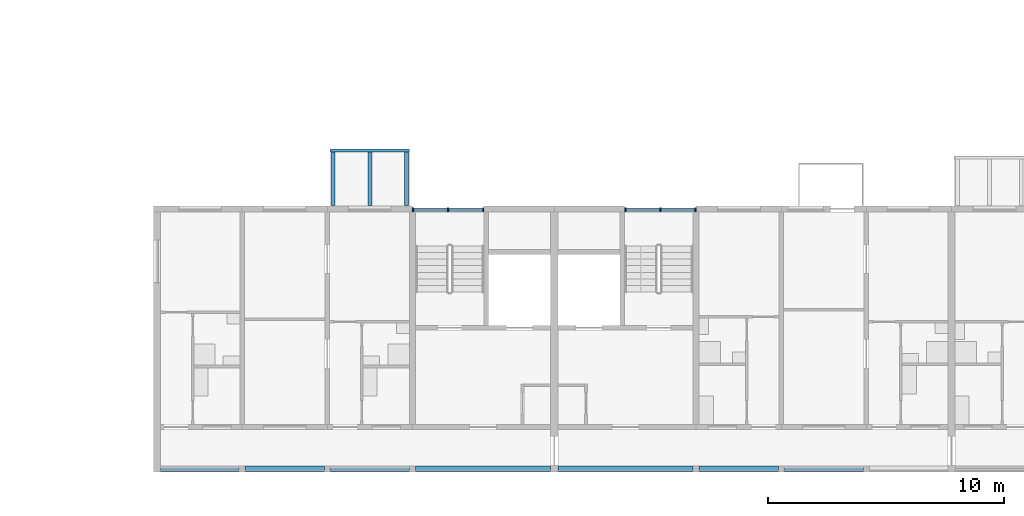
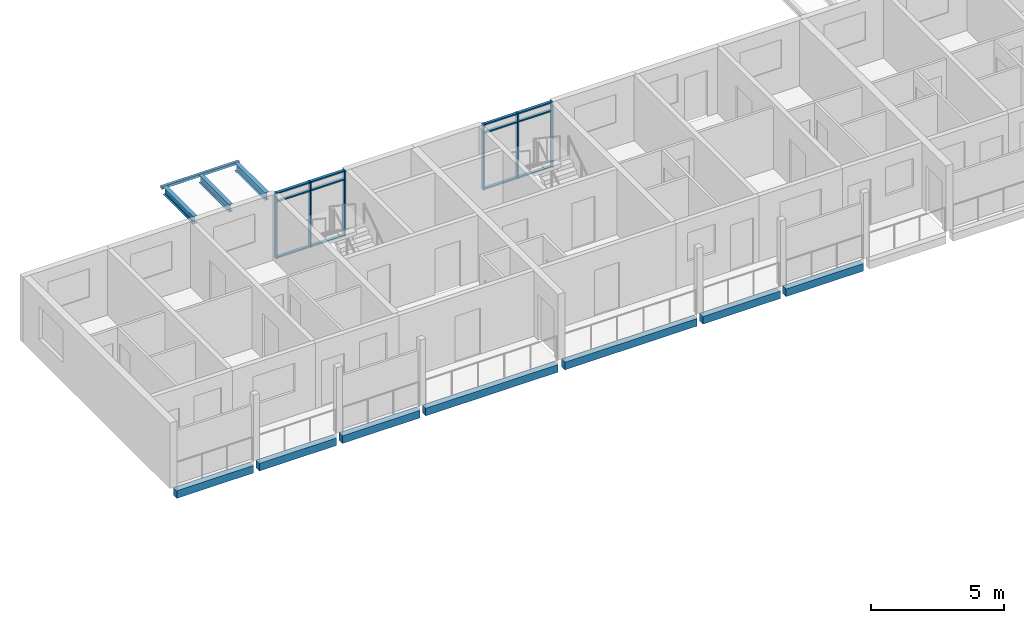
# One storey, part 16 of 94: 18 members, 11 beams, 2 elements without a shape of their own.
"""IFC4 building model written with IfcOpenShell, lengths in metres."""

from ifc_helpers import new_model, si_unit, direction, frame, origin, origin_2d, place, context, subcontext, project, spatial, rectangle, hollow_rectangle, i_section, extrude, material, material_profile, profile_set, type_object, element, aggregate, save


model = new_model("IFC4")

# Units and contexts
model_context = context("Model", 3, precision=1e-05, world=origin(), true_north=direction((0.0, 1.0)))
body_context = subcontext(model_context, "Body", "Model", "MODEL_VIEW")
ifc_project = project(units=[si_unit("LENGTHUNIT", "METRE"), si_unit("AREAUNIT", "SQUARE_METRE"), si_unit("VOLUMEUNIT", "CUBIC_METRE"), si_unit("PLANEANGLEUNIT", "RADIAN"), si_unit("MASSUNIT", "GRAM", prefix="KILO")], contexts=[model_context])

# Site, building, storey
site_placement = place(None, origin())
site = spatial("IfcSite", under=ifc_project, at=site_placement, CompositionType="ELEMENT")
building_placement = place(site_placement, origin())
building = spatial("IfcBuilding", under=site, at=building_placement, Name="Ridgestep Commons", CompositionType="ELEMENT")
storey_placement = place(building_placement, frame((0.0, 0.0, 24.0)))
storey = spatial("IfcBuildingStorey", under=building, at=storey_placement, Name="L08", CompositionType="ELEMENT", Elevation=24.0)

# Beams
ifc_material_1 = material(Name="Precast concrete C40/50", Category="concrete")
ifc_material_profile_1 = material_profile(ifc_material_1, rectangle(XDim=0.25, YDim=0.35009765625, at=origin_2d()), Name="PC 250x350")
ifc_profile_set_1 = profile_set([ifc_material_profile_1], Name="Precast concrete C40/50")
beam_type_1 = type_object("IfcBeamType", Name="Loggia edge beam 250 x 350", PredefinedType="SPANDREL", material=ifc_profile_set_1)
beam_1_placement = place(storey_placement, frame((146.949951171875, 11.875, -0.375), z_axis=(1.0, 0.0, 0.0), x_axis=(0.0, 1.0, 0.0)))
element("IfcBeam", 1, at=beam_1_placement, inside=storey, type_object=beam_type_1, Name="Loggia edge beam D1T1 L08", PredefinedType="SPANDREL", context=body_context, shape_type="SweptSolid", body=[
    extrude(rectangle(XDim=0.25, YDim=0.35009765625, at=origin_2d()), origin(), (0.0, 0.0, 1.0), 3.324951171875),
])
for number, where, z_axis, x_axis, name in (
    (2, (150.52490234375, 11.875, -0.375), (1.0, 0.0, 0.0), (0.0, 1.0, 0.0), "Loggia edge beam D1T2 L08"),
    (3, (154.125, 11.875, -0.375), (1.0, 0.0, 0.0), (0.0, 1.0, 0.0), "Loggia edge beam D1T3 L08"),
):
    element("IfcBeam", number, at=place(storey_placement, frame(where, z_axis=z_axis, x_axis=x_axis)), inside=storey, type_object=beam_type_1, Name=name, PredefinedType="SPANDREL", context=body_context, shape_type="SweptSolid", body=[
        extrude(rectangle(XDim=0.25, YDim=0.35009765625, at=origin_2d()), origin(), (0.0, 0.0, 1.0), 3.35009765625),
    ])
beam_2_placement = place(storey_placement, frame((157.72509765625, 11.875, -0.375), z_axis=(1.0, 0.0, 0.0), x_axis=(0.0, 1.0, 0.0)))
element("IfcBeam", 4, at=beam_2_placement, inside=storey, type_object=beam_type_1, Name="Loggia edge beam D1C L08", PredefinedType="SPANDREL", context=body_context, shape_type="SweptSolid", body=[
    extrude(rectangle(XDim=0.25, YDim=0.35009765625, at=origin_2d()), origin(), (0.0, 0.0, 1.0), 5.724853515625),
])
beam_3_placement = place(storey_placement, frame((163.75, 11.875, -0.375), z_axis=(1.0, 0.0, 0.0), x_axis=(0.0, 1.0, 0.0)))
element("IfcBeam", 5, at=beam_3_placement, inside=storey, type_object=beam_type_1, Name="Loggia edge beam D2C L08", PredefinedType="SPANDREL", context=body_context, shape_type="SweptSolid", body=[
    extrude(rectangle(XDim=0.25, YDim=0.35009765625, at=origin_2d()), origin(), (0.0, 0.0, 1.0), 5.72509765625),
])
beam_4_placement = place(storey_placement, frame((169.72509765625, 11.875, -0.375), z_axis=(1.0, 0.0, 0.0), x_axis=(0.0, 1.0, 0.0)))
element("IfcBeam", 6, at=beam_4_placement, inside=storey, type_object=beam_type_1, Name="Loggia edge beam D2T3 L08", PredefinedType="SPANDREL", context=body_context, shape_type="SweptSolid", body=[
    extrude(rectangle(XDim=0.25, YDim=0.35009765625, at=origin_2d()), origin(), (0.0, 0.0, 1.0), 3.349853515625),
])
beam_5_placement = place(storey_placement, frame((173.324951171875, 11.875, -0.375), z_axis=(1.0, 0.0, 0.0), x_axis=(0.0, 1.0, 0.0)))
element("IfcBeam", 7, at=beam_5_placement, inside=storey, type_object=beam_type_1, Name="Loggia edge beam D2T2 L08", PredefinedType="SPANDREL", context=body_context, shape_type="SweptSolid", body=[
    extrude(rectangle(XDim=0.25, YDim=0.35009765625, at=origin_2d()), origin(), (0.0, 0.0, 1.0), 3.35009765625),
])

# Curtain wall, members
ifc_material_2 = material(Name="Aluminium 6063-T6 and glass", Category="aluminium")
curtain_wall_type = type_object("IfcCurtainWallType", Name="Curtain wall stair strip", PredefinedType="NOTDEFINED", material=ifc_material_2)
curtain_wall_1_placement = place(storey_placement, origin())
curtain_wall_1 = element("IfcCurtainWall", 8, at=curtain_wall_1_placement, inside=storey, type_object=curtain_wall_type, Name="Curtain wall D1C level 08", PredefinedType="NOTDEFINED")
ifc_material_3 = material(Name="Aluminium 6063-T6", Category="aluminium")
ifc_material_profile_2 = material_profile(ifc_material_3, rectangle(XDim=0.159912109375, YDim=0.06005859375, at=origin_2d()), Name="Mullion 60 x 160")
ifc_profile_set_2 = profile_set([ifc_material_profile_2], Name="Aluminium 6063-T6")
member_type_1 = type_object("IfcMemberType", Name="Mullion 60 x 160", PredefinedType="MULLION", material=ifc_profile_set_2)
member_1_placement = place(storey_placement, frame((157.6298828125, 22.830078125, 0.0), z_axis=(0.0, 0.0, 1.0), x_axis=(0.0, 1.0, 0.0)))
member_1 = element("IfcMember", 9, at=member_1_placement, type_object=member_type_1, Name="CW1 mullion 1", PredefinedType="MULLION", context=body_context, shape_type="SweptSolid", body=[
    extrude(rectangle(XDim=0.159912109375, YDim=0.06005859375, at=origin_2d()), origin(), (0.0, 0.0, 1.0), 3.0),
])
member_2_placement = place(storey_placement, frame((159.112548828125, 22.830078125, 0.0), z_axis=(0.0, 0.0, 1.0), x_axis=(0.0, 1.0, 0.0)))
member_2 = element("IfcMember", 10, at=member_2_placement, type_object=member_type_1, Name="CW1 mullion 2", PredefinedType="MULLION", context=body_context, shape_type="SweptSolid", body=[
    extrude(rectangle(XDim=0.159912109375, YDim=0.06005859375, at=origin_2d()), origin(), (0.0, 0.0, 1.0), 3.0),
])
member_3_placement = place(storey_placement, frame((160.594970703125, 22.830078125, 0.0), z_axis=(0.0, 0.0, 1.0), x_axis=(0.0, 1.0, 0.0)))
member_3 = element("IfcMember", 11, at=member_3_placement, type_object=member_type_1, Name="CW1 mullion 3", PredefinedType="MULLION", context=body_context, shape_type="SweptSolid", body=[
    extrude(rectangle(XDim=0.159912109375, YDim=0.06005859375, at=origin_2d()), origin(), (0.0, 0.0, 1.0), 3.0),
])

curtain_wall_2_placement = place(storey_placement, origin())
curtain_wall_2 = element("IfcCurtainWall", 12, at=curtain_wall_2_placement, inside=storey, type_object=curtain_wall_type, Name="Curtain wall D2C level 08", PredefinedType="NOTDEFINED")
member_4_placement = place(storey_placement, frame((166.60498046875, 22.830078125, 0.0), z_axis=(0.0, 0.0, 1.0), x_axis=(0.0, 1.0, 0.0)))
member_4 = element("IfcMember", 13, at=member_4_placement, type_object=member_type_1, Name="CW1 mullion 1", PredefinedType="MULLION", context=body_context, shape_type="SweptSolid", body=[
    extrude(rectangle(XDim=0.159912109375, YDim=0.06005859375, at=origin_2d()), origin(), (0.0, 0.0, 1.0), 3.0),
])
member_5_placement = place(storey_placement, frame((168.08740234375, 22.830078125, 0.0), z_axis=(0.0, 0.0, 1.0), x_axis=(0.0, 1.0, 0.0)))
member_5 = element("IfcMember", 14, at=member_5_placement, type_object=member_type_1, Name="CW1 mullion 2", PredefinedType="MULLION", context=body_context, shape_type="SweptSolid", body=[
    extrude(rectangle(XDim=0.159912109375, YDim=0.06005859375, at=origin_2d()), origin(), (0.0, 0.0, 1.0), 3.0),
])
member_6_placement = place(storey_placement, frame((169.570068359375, 22.830078125, 0.0), z_axis=(0.0, 0.0, 1.0), x_axis=(0.0, 1.0, 0.0)))
member_6 = element("IfcMember", 15, at=member_6_placement, type_object=member_type_1, Name="CW1 mullion 3", PredefinedType="MULLION", context=body_context, shape_type="SweptSolid", body=[
    extrude(rectangle(XDim=0.159912109375, YDim=0.06005859375, at=origin_2d()), origin(), (0.0, 0.0, 1.0), 3.0),
])

# Member
ifc_material_4 = material(Name="Aluminium 6063-T6", Category="aluminium")
ifc_material_profile_3 = material_profile(ifc_material_4, rectangle(XDim=0.1201171875, YDim=0.06005859375, at=origin_2d()), Name="Transom 60 x 120")
ifc_profile_set_3 = profile_set([ifc_material_profile_3], Name="Aluminium 6063-T6")
member_type_2 = type_object("IfcMemberType", Name="Transom 60 x 120", PredefinedType="USERDEFINED", material=ifc_profile_set_3)
member_7_placement = place(storey_placement, frame((157.659912109375, 22.830078125, 0.030029296875), z_axis=(1.0, 0.0, 0.0), x_axis=(0.0, 1.0, 0.0)))
member_7 = element("IfcMember", 16, at=member_7_placement, type_object=member_type_2, Name="CW1 transom 1.1", ObjectType="TRANSOM", PredefinedType="USERDEFINED", context=body_context, shape_type="SweptSolid", body=[
    extrude(rectangle(XDim=0.1201171875, YDim=0.06005859375, at=origin_2d()), origin(), (0.0, 0.0, 1.0), 1.422607421875),
])

member_8_placement = place(storey_placement, frame((157.659912109375, 22.830078125, 2.590087890625), z_axis=(1.0, 0.0, 0.0), x_axis=(0.0, 1.0, 0.0)))
member_8 = element("IfcMember", 17, at=member_8_placement, type_object=member_type_2, Name="CW1 transom 1.2", ObjectType="TRANSOM", PredefinedType="USERDEFINED", context=body_context, shape_type="SweptSolid", body=[
    extrude(rectangle(XDim=0.1201171875, YDim=0.06005859375, at=origin_2d()), origin(), (0.0, 0.0, 1.0), 1.422607421875),
])

member_9_placement = place(storey_placement, frame((157.659912109375, 22.830078125, 2.969970703125), z_axis=(1.0, 0.0, 0.0), x_axis=(0.0, 1.0, 0.0)))
member_9 = element("IfcMember", 18, at=member_9_placement, type_object=member_type_2, Name="CW1 transom 1.3", ObjectType="TRANSOM", PredefinedType="USERDEFINED", context=body_context, shape_type="SweptSolid", body=[
    extrude(rectangle(XDim=0.1201171875, YDim=0.06005859375, at=origin_2d()), origin(), (0.0, 0.0, 1.0), 1.422607421875),
])

member_10_placement = place(storey_placement, frame((159.142578125, 22.830078125, 0.030029296875), z_axis=(1.0, 0.0, 0.0), x_axis=(0.0, 1.0, 0.0)))
member_10 = element("IfcMember", 19, at=member_10_placement, type_object=member_type_2, Name="CW1 transom 2.1", ObjectType="TRANSOM", PredefinedType="USERDEFINED", context=body_context, shape_type="SweptSolid", body=[
    extrude(rectangle(XDim=0.1201171875, YDim=0.06005859375, at=origin_2d()), origin(), (0.0, 0.0, 1.0), 1.42236328125),
])

member_11_placement = place(storey_placement, frame((159.142578125, 22.830078125, 2.590087890625), z_axis=(1.0, 0.0, 0.0), x_axis=(0.0, 1.0, 0.0)))
member_11 = element("IfcMember", 20, at=member_11_placement, type_object=member_type_2, Name="CW1 transom 2.2", ObjectType="TRANSOM", PredefinedType="USERDEFINED", context=body_context, shape_type="SweptSolid", body=[
    extrude(rectangle(XDim=0.1201171875, YDim=0.06005859375, at=origin_2d()), origin(), (0.0, 0.0, 1.0), 1.42236328125),
])

member_12_placement = place(storey_placement, frame((159.142578125, 22.830078125, 2.969970703125), z_axis=(1.0, 0.0, 0.0), x_axis=(0.0, 1.0, 0.0)))
member_12 = element("IfcMember", 21, at=member_12_placement, type_object=member_type_2, Name="CW1 transom 2.3", ObjectType="TRANSOM", PredefinedType="USERDEFINED", context=body_context, shape_type="SweptSolid", body=[
    extrude(rectangle(XDim=0.1201171875, YDim=0.06005859375, at=origin_2d()), origin(), (0.0, 0.0, 1.0), 1.42236328125),
])

aggregate(curtain_wall_1, [member_1, member_2, member_3, member_7, member_8, member_9, member_10, member_11, member_12])

member_13_placement = place(storey_placement, frame((166.635009765625, 22.830078125, 0.030029296875), z_axis=(1.0, 0.0, 0.0), x_axis=(0.0, 1.0, 0.0)))
member_13 = element("IfcMember", 22, at=member_13_placement, type_object=member_type_2, Name="CW1 transom 1.1", ObjectType="TRANSOM", PredefinedType="USERDEFINED", context=body_context, shape_type="SweptSolid", body=[
    extrude(rectangle(XDim=0.1201171875, YDim=0.06005859375, at=origin_2d()), origin(), (0.0, 0.0, 1.0), 1.422607421875),
])

member_14_placement = place(storey_placement, frame((166.635009765625, 22.830078125, 2.590087890625), z_axis=(1.0, 0.0, 0.0), x_axis=(0.0, 1.0, 0.0)))
member_14 = element("IfcMember", 23, at=member_14_placement, type_object=member_type_2, Name="CW1 transom 1.2", ObjectType="TRANSOM", PredefinedType="USERDEFINED", context=body_context, shape_type="SweptSolid", body=[
    extrude(rectangle(XDim=0.1201171875, YDim=0.06005859375, at=origin_2d()), origin(), (0.0, 0.0, 1.0), 1.422607421875),
])

member_15_placement = place(storey_placement, frame((166.635009765625, 22.830078125, 2.969970703125), z_axis=(1.0, 0.0, 0.0), x_axis=(0.0, 1.0, 0.0)))
member_15 = element("IfcMember", 24, at=member_15_placement, type_object=member_type_2, Name="CW1 transom 1.3", ObjectType="TRANSOM", PredefinedType="USERDEFINED", context=body_context, shape_type="SweptSolid", body=[
    extrude(rectangle(XDim=0.1201171875, YDim=0.06005859375, at=origin_2d()), origin(), (0.0, 0.0, 1.0), 1.422607421875),
])

member_16_placement = place(storey_placement, frame((168.117431640625, 22.830078125, 0.030029296875), z_axis=(1.0, 0.0, 0.0), x_axis=(0.0, 1.0, 0.0)))
member_16 = element("IfcMember", 25, at=member_16_placement, type_object=member_type_2, Name="CW1 transom 2.1", ObjectType="TRANSOM", PredefinedType="USERDEFINED", context=body_context, shape_type="SweptSolid", body=[
    extrude(rectangle(XDim=0.1201171875, YDim=0.06005859375, at=origin_2d()), origin(), (0.0, 0.0, 1.0), 1.422607421875),
])

member_17_placement = place(storey_placement, frame((168.117431640625, 22.830078125, 2.590087890625), z_axis=(1.0, 0.0, 0.0), x_axis=(0.0, 1.0, 0.0)))
member_17 = element("IfcMember", 26, at=member_17_placement, type_object=member_type_2, Name="CW1 transom 2.2", ObjectType="TRANSOM", PredefinedType="USERDEFINED", context=body_context, shape_type="SweptSolid", body=[
    extrude(rectangle(XDim=0.1201171875, YDim=0.06005859375, at=origin_2d()), origin(), (0.0, 0.0, 1.0), 1.422607421875),
])

member_18_placement = place(storey_placement, frame((168.117431640625, 22.830078125, 2.969970703125), z_axis=(1.0, 0.0, 0.0), x_axis=(0.0, 1.0, 0.0)))
member_18 = element("IfcMember", 27, at=member_18_placement, type_object=member_type_2, Name="CW1 transom 2.3", ObjectType="TRANSOM", PredefinedType="USERDEFINED", context=body_context, shape_type="SweptSolid", body=[
    extrude(rectangle(XDim=0.1201171875, YDim=0.06005859375, at=origin_2d()), origin(), (0.0, 0.0, 1.0), 1.422607421875),
])

aggregate(curtain_wall_2, [member_4, member_5, member_6, member_13, member_14, member_15, member_16, member_17, member_18])

# Beams
ifc_material_5 = material(Name="Weathering steel S355J2W", Category="steel")
ifc_material_profile_4 = material_profile(ifc_material_5, i_section(OverallWidth=0.171142578125, OverallDepth=0.351318359375, WebThickness=0.007080078125, FlangeThickness=0.009765625, FilletRadius=0.01025390625, at=origin_2d()), Name="UB 356x171x45")
ifc_profile_set_4 = profile_set([ifc_material_profile_4], Name="Weathering steel S355J2W")
beam_type_2 = type_object("IfcBeamType", Name="Tray arm UB 356x171x45", PredefinedType="BEAM", material=ifc_profile_set_4)
for number, where, z_axis, x_axis, name in (
    (28, (154.25, 23.014892578125, 2.814208984375), (0.0, 1.0, 0.0), (-1.0, 0.0, 0.0), "Tray arm D1T3-09.1"),
    (29, (155.800048828125, 23.014892578125, 2.814208984375), (0.0, 1.0, 0.0), (-1.0, 0.0, 0.0), "Tray arm D1T3-09.2"),
    (30, (157.35009765625, 23.014892578125, 2.814208984375), (0.0, 1.0, 0.0), (-1.0, 0.0, 0.0), "Tray arm D1T3-09.3"),
):
    element("IfcBeam", number, at=place(storey_placement, frame(where, z_axis=z_axis, x_axis=x_axis)), inside=storey, type_object=beam_type_2, Name=name, PredefinedType="BEAM", context=body_context, shape_type="SweptSolid", body=[
        extrude(i_section(OverallWidth=0.171142578125, OverallDepth=0.351318359375, WebThickness=0.007080078125, FlangeThickness=0.009765625, FilletRadius=0.01025390625, at=origin_2d()), origin(), (0.0, 0.0, 1.0), 2.26513671875),
    ])
ifc_material_6 = material(Name="Weathering steel S355J2W", Category="steel")
ifc_material_profile_5 = material_profile(ifc_material_6, hollow_rectangle(XDim=0.1201171875, YDim=0.1201171875, WallThickness=0.00634765625, InnerFilletRadius=0.00634765625, OuterFilletRadius=0.009521484375, at=origin_2d()), Name="SHS 120x120x6.3")
ifc_profile_set_5 = profile_set([ifc_material_profile_5], Name="Weathering steel S355J2W")
beam_type_3 = type_object("IfcBeamType", Name="Tray edge member SHS 120x120x6.3", PredefinedType="BEAM", material=ifc_profile_set_5)
beam_6_placement = place(storey_placement, frame((154.1298828125, 25.340087890625, 2.929931640625), z_axis=(1.0, 0.0, 0.0), x_axis=(0.0, 0.0, 1.0)))
element("IfcBeam", 31, at=beam_6_placement, inside=storey, type_object=beam_type_3, Name="Tray edge member D1T3-09", PredefinedType="BEAM", context=body_context, shape_type="SweptSolid", body=[
    extrude(hollow_rectangle(XDim=0.1201171875, YDim=0.1201171875, WallThickness=0.00634765625, InnerFilletRadius=0.00634765625, OuterFilletRadius=0.009521484375, at=origin_2d()), origin(), (0.0, 0.0, 1.0), 3.340087890625),
])

save(model, "model.ifc")
